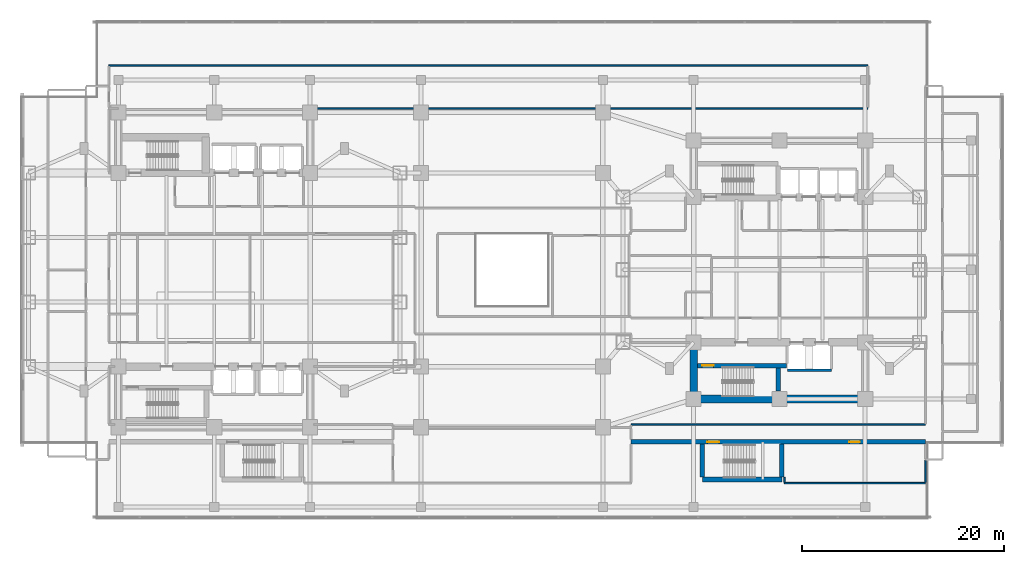
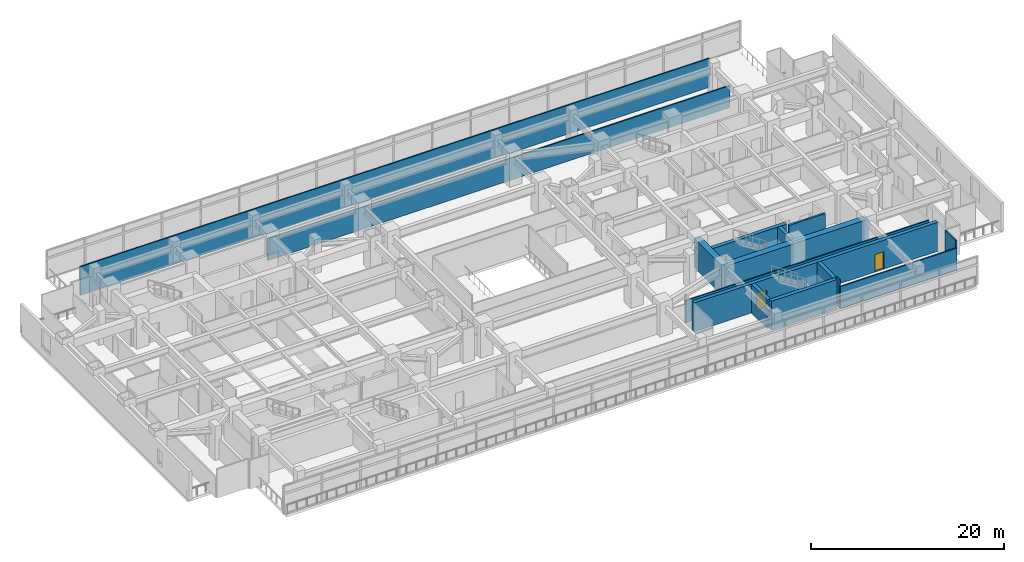
# One storey, part 16 of 26: 15 walls, 3 doors, 3 openings.
"""IFC4 building model written with IfcOpenShell, lengths in metres."""

from ifc_helpers import new_model, si_unit, direction, frame, frame_2d, origin, place, context, subcontext, project, spatial, rectangle, extrude, material, layer, layer_set, type_object, element, fill, save


model = new_model("IFC4")

# Units and contexts
model_context = context("Model", 3, precision=1e-05, world=origin(), true_north=direction((0.0, 1.0)))
body_context = subcontext(model_context, "Body", "Model", "MODEL_VIEW")
ifc_project = project(units=[si_unit("LENGTHUNIT", "METRE"), si_unit("AREAUNIT", "SQUARE_METRE"), si_unit("VOLUMEUNIT", "CUBIC_METRE"), si_unit("PLANEANGLEUNIT", "RADIAN"), si_unit("MASSUNIT", "GRAM", prefix="KILO")], contexts=[model_context])

# Site, building, storey
site_placement = place(None, origin())
site = spatial("IfcSite", under=ifc_project, at=site_placement, CompositionType="ELEMENT")
building_placement = place(site_placement, origin())
building = spatial("IfcBuilding", under=site, at=building_placement, Name="Mirazonda Arch Towers", CompositionType="ELEMENT")
storey_placement = place(building_placement, frame((0.0, 0.0, 13.800048828125)))
storey = spatial("IfcBuildingStorey", under=building, at=storey_placement, Name="L03", CompositionType="ELEMENT", Elevation=13.800048828125)

# Wall
ifc_material_1 = material(Name="Concrete C50/60", Category="concrete")
ifc_layer_1 = layer(ifc_material_1, 0.449951171875, Name="WALL-CORE-450")
ifc_layer_set_1 = layer_set([ifc_layer_1], Name="Concrete C50/60")
wall_type_1 = type_object("IfcWallType", Name="WALL-CORE-450", PredefinedType="SHEAR", material=ifc_layer_set_1)
wall_1_placement = place(storey_placement, frame((68.8701171875, 7.219970703125, 0.0), z_axis=(0.0, 0.0, 1.0), x_axis=(1.0, 0.0, 0.0)))
element("IfcWall", 1, at=wall_1_placement, inside=storey, type_object=wall_type_1, Name="L03 Stair Core Shear Wall 004", PredefinedType="SHEAR", context=body_context, shape_type="SweptSolid", body=[
    extrude(rectangle(XDim=7.85986328125, YDim=0.449951171875, at=frame_2d((3.929931640625, 0.0))), origin(), (0.0, 0.0, 1.0), 3.64990234375),
])

# Wall, openings, doors
wall_2_placement = place(storey_placement, frame((61.800048828125, 10.949951171875, 0.0), z_axis=(0.0, 0.0, 1.0), x_axis=(1.0, 0.0, 0.0)))
wall_2 = element("IfcWall", 2, at=wall_2_placement, inside=storey, type_object=wall_type_1, Name="L03 Stair Core Shear Wall 009", PredefinedType="SHEAR", context=body_context, shape_type="SweptSolid", body=[
    extrude(rectangle(XDim=29.14990234375, YDim=0.449951171875, at=frame_2d((14.574951171875, 0.0))), origin(), (0.0, 0.0, 1.0), 3.64990234375),
])
opening_1_placement = place(wall_2_placement, frame((7.570068359375, 0.0, 0.0)))
opening_1 = element("IfcOpeningElement", 3, at=opening_1_placement, cuts=wall_2, Name="Opening DR-135", PredefinedType="OPENING", context=body_context, shape_type="SweptSolid", body=[
    extrude(rectangle(XDim=1.14990234375, YDim=2.199951171875, at=frame_2d((0.574951171875, 1.10009765625))), frame((0.0, 0.23486328125, 0.0), z_axis=(0.0, -1.0, 0.0), x_axis=(1.0, 0.0, 0.0)), (0.0, 0.0, 1.0), 0.469970703125),
])
opening_2_placement = place(wall_2_placement, frame((21.6298828125, 0.0, 0.0)))
opening_2 = element("IfcOpeningElement", 4, at=opening_2_placement, cuts=wall_2, Name="Opening DR-121", PredefinedType="OPENING", context=body_context, shape_type="SweptSolid", body=[
    extrude(rectangle(XDim=1.050048828125, YDim=2.199951171875, at=frame_2d((0.52490234375, 1.10009765625))), frame((0.0, 0.23486328125, 0.0), z_axis=(0.0, -1.0, 0.0), x_axis=(1.0, 0.0, 0.0)), (0.0, 0.0, 1.0), 0.469970703125),
])
ifc_material_2 = material(Name="Architectural Brushed Steel S355", Category="steel")
door_type_1 = type_object("IfcDoorType", Name="DOOR-STAIR-FD90-1150", OperationType="NOTDEFINED", PredefinedType="DOOR", material=ifc_material_2)
door_1_placement = place(opening_1_placement, origin())
door_1 = element("IfcDoor", 5, at=door_1_placement, inside=storey, type_object=door_type_1, Name="L03 Protected Podium Stair East Door", OperationType="SINGLE_SWING_LEFT", OverallHeight=2.199951171875, OverallWidth=1.14990234375, PredefinedType="DOOR", context=body_context, shape_type="SweptSolid", body=[
    extrude(rectangle(XDim=1.14990234375, YDim=2.199951171875, at=frame_2d((0.574951171875, 1.10009765625))), frame((0.0, 0.02490234375, 0.0), z_axis=(0.0, -1.0, 0.0), x_axis=(1.0, 0.0, 0.0)), (0.0, 0.0, 1.0), 0.050048828125),
])
fill(opening_1, door_1)
door_type_2 = type_object("IfcDoorType", Name="DOOR-SUITE-FD60-1050", OperationType="NOTDEFINED", PredefinedType="DOOR", material=ifc_material_2)
door_2_placement = place(opening_2_placement, origin())
door_2 = element("IfcDoor", 6, at=door_2_placement, inside=storey, type_object=door_type_2, Name="L03 L03 South-East Suite Door", OperationType="SINGLE_SWING_LEFT", OverallHeight=2.199951171875, OverallWidth=1.050048828125, PredefinedType="DOOR", context=body_context, shape_type="SweptSolid", body=[
    extrude(rectangle(XDim=1.050048828125, YDim=2.199951171875, at=frame_2d((0.52490234375, 1.10009765625))), frame((0.0, 0.02490234375, 0.0), z_axis=(0.0, -1.0, 0.0), x_axis=(1.0, 0.0, 0.0)), (0.0, 0.0, 1.0), 0.050048828125),
])
fill(opening_2, door_2)

# Wall, opening, door
wall_3_placement = place(storey_placement, frame((68.3701171875, 18.5, 0.0), z_axis=(0.0, 0.0, 1.0), x_axis=(1.0, 0.0, 0.0)))
wall_3 = element("IfcWall", 7, at=wall_3_placement, inside=storey, type_object=wall_type_1, Name="L03 Stair Core Shear Wall 022", PredefinedType="SHEAR", context=body_context, shape_type="SweptSolid", body=[
    extrude(rectangle(XDim=8.849853515625, YDim=0.449951171875, at=frame_2d((4.4248046875, 0.0))), origin(), (0.0, 0.0, 1.0), 3.64990234375),
])
opening_3_placement = place(wall_3_placement, frame((0.469970703125, 0.0, 0.0)))
opening_3 = element("IfcOpeningElement", 8, at=opening_3_placement, cuts=wall_3, Name="Opening DR-135", PredefinedType="OPENING", context=body_context, shape_type="SweptSolid", body=[
    extrude(rectangle(XDim=1.14990234375, YDim=2.199951171875, at=frame_2d((0.574951171875, 1.10009765625))), frame((0.0, 0.23486328125, 0.0), z_axis=(0.0, -1.0, 0.0), x_axis=(1.0, 0.0, 0.0)), (0.0, 0.0, 1.0), 0.469970703125),
])
door_3_placement = place(opening_3_placement, origin())
door_3 = element("IfcDoor", 9, at=door_3_placement, inside=storey, type_object=door_type_1, Name="L03 East Protected Stair South Door", OperationType="SINGLE_SWING_RIGHT", OverallHeight=2.199951171875, OverallWidth=1.14990234375, PredefinedType="DOOR", context=body_context, shape_type="SweptSolid", body=[
    extrude(rectangle(XDim=1.14990234375, YDim=2.199951171875, at=frame_2d((0.574951171875, 1.10009765625))), frame((0.0, 0.02490234375, 0.0), z_axis=(0.0, -1.0, 0.0), x_axis=(1.0, 0.0, 0.0)), (0.0, 0.0, 1.0), 0.050048828125),
])
fill(opening_3, door_3)

# Walls
wall_4_placement = place(storey_placement, frame((68.8701171875, 7.455078125, 0.0), z_axis=(0.0, 0.0, 1.0), x_axis=(0.0, 1.0, 0.0)))
element("IfcWall", 10, at=wall_4_placement, inside=storey, type_object=wall_type_1, Name="L03 Stair Core Shear Wall 112", PredefinedType="SHEAR", context=body_context, shape_type="SweptSolid", body=[
    extrude(rectangle(XDim=3.260009765625, YDim=0.449951171875, at=frame_2d((1.6298828125, 0.0))), origin(), (0.0, 0.0, 1.0), 3.64990234375),
])
wall_5_placement = place(storey_placement, frame((76.360107421875, 15.965087890625, 0.0), z_axis=(0.0, 0.0, 1.0), x_axis=(0.0, 1.0, 0.0)))
element("IfcWall", 11, at=wall_5_placement, inside=storey, type_object=wall_type_1, Name="L03 Stair Core Shear Wall 117", PredefinedType="SHEAR", context=body_context, shape_type="SweptSolid", body=[
    extrude(rectangle(XDim=2.2998046875, YDim=0.449951171875, at=frame_2d((1.14990234375, 0.0))), origin(), (0.0, 0.0, 1.0), 3.64990234375),
])
wall_6_placement = place(storey_placement, frame((76.72998046875, 7.455078125, 0.0), z_axis=(0.0, 0.0, 1.0), x_axis=(0.0, 1.0, 0.0)))
element("IfcWall", 12, at=wall_6_placement, inside=storey, type_object=wall_type_1, Name="L03 Stair Core Shear Wall 120", PredefinedType="SHEAR", context=body_context, shape_type="SweptSolid", body=[
    extrude(rectangle(XDim=3.260009765625, YDim=0.449951171875, at=frame_2d((1.6298828125, 0.0))), origin(), (0.0, 0.0, 1.0), 3.64990234375),
])
ifc_material_3 = material(Name="Concrete C60/75", Category="concrete")
ifc_layer_2 = layer(ifc_material_3, 0.75, Name="WALL-CORE-750")
ifc_layer_set_2 = layer_set([ifc_layer_2], Name="Concrete C60/75")
wall_type_2 = type_object("IfcWallType", Name="WALL-CORE-750", PredefinedType="SHEAR", material=ifc_layer_set_2)
wall_7_placement = place(storey_placement, frame((68.0, 15.199951171875, 0.0), z_axis=(0.0, 0.0, 1.0), x_axis=(1.0, 0.0, 0.0)))
element("IfcWall", 13, at=wall_7_placement, inside=storey, type_object=wall_type_2, Name="L03 T2S-S Core Shear Wall", PredefinedType="SHEAR", context=body_context, shape_type="SweptSolid", body=[
    extrude(rectangle(XDim=17.0, YDim=0.75, at=frame_2d((8.5, 0.0))), origin(), (0.0, 0.0, 1.0), 3.64990234375),
])
wall_8_placement = place(storey_placement, frame((68.0, 15.199951171875, 0.0), z_axis=(0.0, 0.0, 1.0), x_axis=(0.0, 1.0, 0.0)))
element("IfcWall", 14, at=wall_8_placement, inside=storey, type_object=wall_type_2, Name="L03 T2S-W Core Shear Wall", PredefinedType="SHEAR", context=body_context, shape_type="SweptSolid", body=[
    extrude(rectangle(XDim=5.60009765625, YDim=0.75, at=frame_2d((2.800048828125, 0.0))), origin(), (0.0, 0.0, 1.0), 3.64990234375),
])
ifc_material_4 = material(Name="Fire-Rated Gypsum Stud Partition")
ifc_layer_3 = layer(ifc_material_4, 0.14990234375, Name="WALL-PART-CORR-150")
ifc_layer_set_3 = layer_set([ifc_layer_3], Name="Fire-Rated Gypsum Stud Partition")
wall_type_3 = type_object("IfcWallType", Name="WALL-PART-CORR-150", PredefinedType="PARTITIONING", material=ifc_layer_set_3)
wall_9_placement = place(storey_placement, frame((77.0, 6.85009765625, 0.0), z_axis=(0.0, 0.0, 1.0), x_axis=(1.0, 0.0, 0.0)))
element("IfcWall", 15, at=wall_9_placement, inside=storey, type_object=wall_type_3, Name="L03 Interior Partition 002", PredefinedType="PARTITIONING", context=body_context, shape_type="SweptSolid", body=[
    extrude(rectangle(XDim=13.949951171875, YDim=0.14990234375, at=frame_2d((6.97509765625, 0.0))), origin(), (0.0, 0.0, 1.0), 2.785888671875),
])
wall_10_placement = place(storey_placement, frame((61.800048828125, 12.64990234375, 0.0), z_axis=(0.0, 0.0, 1.0), x_axis=(1.0, 0.0, 0.0)))
element("IfcWall", 16, at=wall_10_placement, inside=storey, type_object=wall_type_3, Name="L03 Interior Partition 014", PredefinedType="PARTITIONING", context=body_context, shape_type="SweptSolid", body=[
    extrude(rectangle(XDim=29.14990234375, YDim=0.14990234375, at=frame_2d((14.574951171875, 0.0))), origin(), (0.0, 0.0, 1.0), 2.785888671875),
])
wall_11_placement = place(storey_placement, frame((30.02001953125, 44.0, 0.0), z_axis=(0.0, 0.0, 1.0), x_axis=(1.0, 0.0, 0.0)))
element("IfcWall", 17, at=wall_11_placement, inside=storey, type_object=wall_type_3, Name="L03 Interior Partition 056", PredefinedType="PARTITIONING", context=body_context, shape_type="SweptSolid", body=[
    extrude(rectangle(XDim=55.22998046875, YDim=0.14990234375, at=frame_2d((27.614990234375, 0.0))), origin(), (0.0, 0.0, 1.0), 2.785888671875),
])
wall_12_placement = place(storey_placement, frame((10.050048828125, 48.25, 0.0), z_axis=(0.0, 0.0, 1.0), x_axis=(1.0, 0.0, 0.0)))
element("IfcWall", 18, at=wall_12_placement, inside=storey, type_object=wall_type_3, Name="L03 Interior Partition 060", PredefinedType="PARTITIONING", context=body_context, shape_type="SweptSolid", body=[
    extrude(rectangle(XDim=75.199951171875, YDim=0.14990234375, at=frame_2d((37.60009765625, 0.0))), origin(), (0.0, 0.0, 1.0), 3.64990234375),
])
wall_13_placement = place(storey_placement, frame((77.0, 6.93505859375, 0.0), z_axis=(0.0, 0.0, 1.0), x_axis=(0.0, 1.0, 0.0)))
element("IfcWall", 19, at=wall_13_placement, inside=storey, type_object=wall_type_3, Name="L03 Interior Partition 121", PredefinedType="PARTITIONING", context=body_context, shape_type="SweptSolid", body=[
    extrude(rectangle(XDim=0.5, YDim=0.14990234375, at=frame_2d((0.25, 0.0))), origin(), (0.0, 0.0, 1.0), 3.64990234375),
])
wall_14_placement = place(storey_placement, frame((90.949951171875, 6.93505859375, 0.0), z_axis=(0.0, 0.0, 1.0), x_axis=(0.0, 1.0, 0.0)))
element("IfcWall", 20, at=wall_14_placement, inside=storey, type_object=wall_type_3, Name="L03 Interior Partition 130", PredefinedType="PARTITIONING", context=body_context, shape_type="SweptSolid", body=[
    extrude(rectangle(XDim=2.179931640625, YDim=0.14990234375, at=frame_2d((1.08984375, 0.0))), origin(), (0.0, 0.0, 1.0), 3.64990234375),
])
ifc_material_5 = material(Name="Concrete C40/50", Category="concrete")
ifc_layer_4 = layer(ifc_material_5, 0.25, Name="WALL-SHAFT-250")
ifc_layer_set_4 = layer_set([ifc_layer_4], Name="Concrete C40/50")
wall_type_4 = type_object("IfcWallType", Name="WALL-SHAFT-250", PredefinedType="SOLIDWALL", material=ifc_layer_set_4)
wall_15_placement = place(storey_placement, frame((77.300048828125, 18.050048828125, 0.0), z_axis=(0.0, 0.0, 1.0), x_axis=(1.0, 0.0, 0.0)))
element("IfcWall", 21, at=wall_15_placement, inside=storey, type_object=wall_type_4, Name="L03 Interior Partition 019", PredefinedType="SOLIDWALL", context=body_context, shape_type="SweptSolid", body=[
    extrude(rectangle(XDim=4.349853515625, YDim=0.25, at=frame_2d((2.1748046875, 0.0))), origin(), (0.0, 0.0, 1.0), 3.64990234375),
])

save(model, "model.ifc")
